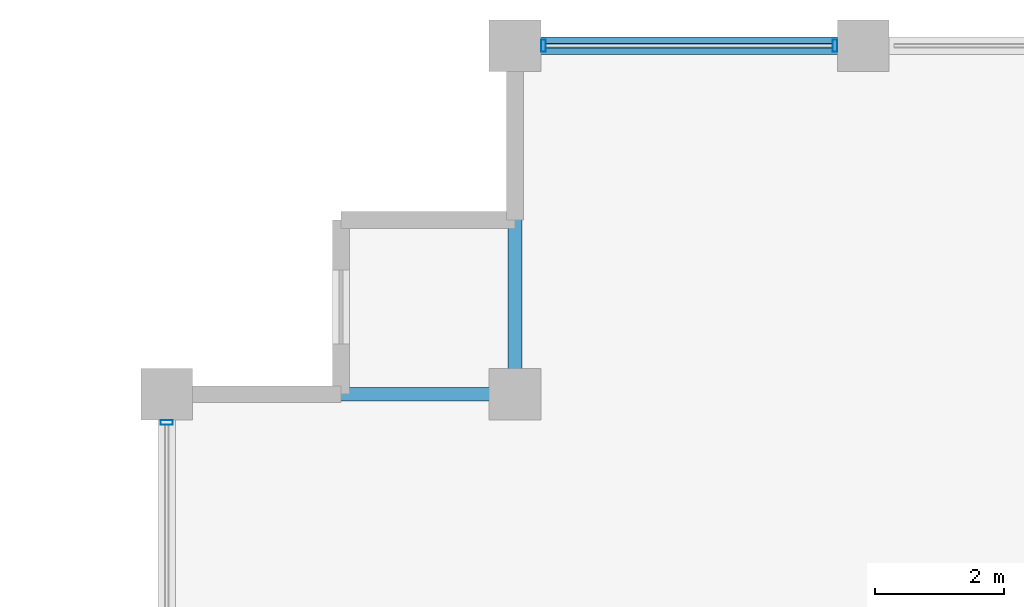
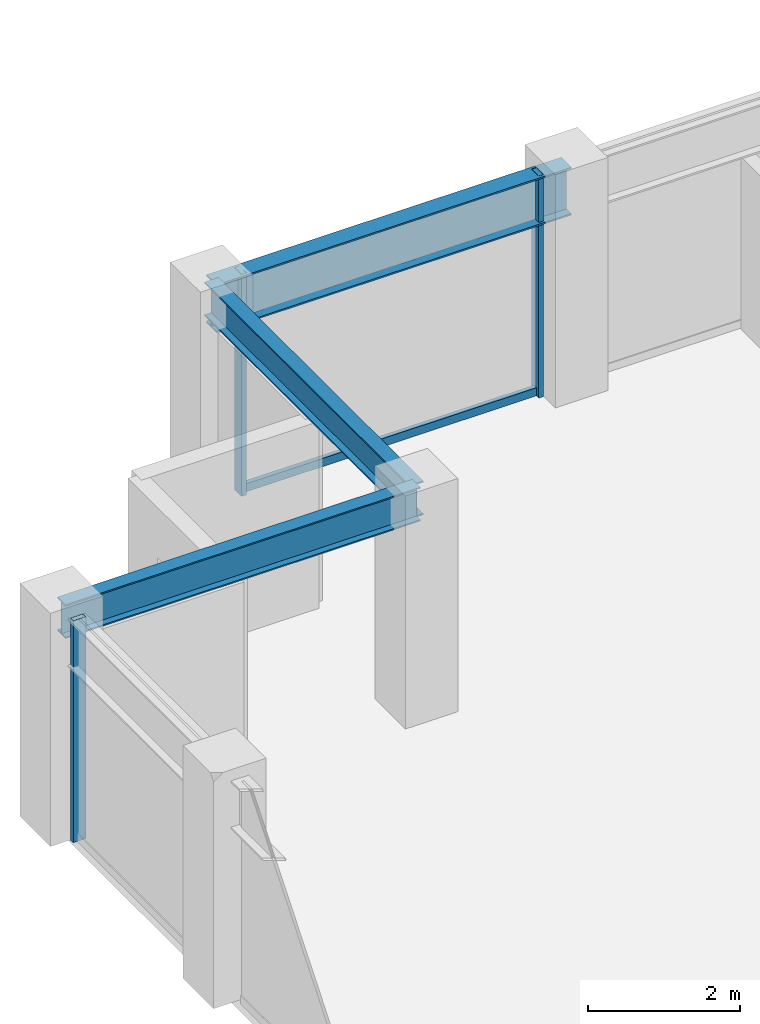
# One storey, part 15 of 28: 4 members, 3 beams, 2 elements without a shape of their own.
"""IFC4 building model written with IfcOpenShell, lengths in metres."""

from ifc_helpers import new_model, si_unit, direction, frame, origin, origin_2d, place, context, subcontext, project, spatial, hollow_rectangle, i_section, extrude, material, layer, layer_set, material_profile, profile_set, type_object, element, aggregate, save


model = new_model("IFC4")

# Units and contexts
model_context = context("Model", 3, precision=1e-05, world=origin(), true_north=direction((0.0, 1.0)))
body_context = subcontext(model_context, "Body", "Model", "MODEL_VIEW")
ifc_project = project(units=[si_unit("LENGTHUNIT", "METRE"), si_unit("AREAUNIT", "SQUARE_METRE"), si_unit("VOLUMEUNIT", "CUBIC_METRE"), si_unit("PLANEANGLEUNIT", "RADIAN"), si_unit("MASSUNIT", "GRAM", prefix="KILO")], contexts=[model_context])

# Site, building, storey
site_placement = place(None, origin())
site = spatial("IfcSite", under=ifc_project, at=site_placement, CompositionType="ELEMENT")
building_placement = place(site_placement, origin())
building = spatial("IfcBuilding", under=site, at=building_placement, Name="Surkhivell Harbour Commons", CompositionType="ELEMENT")
storey_placement = place(building_placement, frame((0.0, 0.0, 242.25)))
storey = spatial("IfcBuildingStorey", under=building, at=storey_placement, Name="L63", CompositionType="ELEMENT", Elevation=242.25)

# Beams
ifc_material_1 = material(Name="Steel S355", Category="steel")
ifc_material_profile_1 = material_profile(ifc_material_1, i_section(OverallWidth=0.2119140625, OverallDepth=0.5439453125, WebThickness=0.0126953125, FlangeThickness=0.021240234375, at=origin_2d()), Name="UB533x210x122")
ifc_profile_set_1 = profile_set([ifc_material_profile_1], Name="Steel S355")
beam_type_1 = type_object("IfcBeamType", Name="BM-GRD-533A", PredefinedType="BEAM", material=ifc_profile_set_1)
for number, where, z_axis, x_axis, name in (
    (1, (-27.0, 20.5, 3.298095703125), (1.0, 0.0, 0.0), (0.0, 1.0, 0.0), "L63 Floor Girder (-27.0,20.5)"),
    (2, (-21.60009765625, 20.5, 3.298095703125), (0.0, 1.0, 0.0), (-1.0, 0.0, 0.0), "L63 Floor Girder (-21.6,20.5)"),
):
    element("IfcBeam", number, at=place(storey_placement, frame(where, z_axis=z_axis, x_axis=x_axis)), inside=storey, type_object=beam_type_1, Name=name, PredefinedType="BEAM", context=body_context, shape_type="SweptSolid", body=[
        extrude(i_section(OverallWidth=0.2119140625, OverallDepth=0.5439453125, WebThickness=0.0126953125, FlangeThickness=0.021240234375, at=origin_2d()), origin(), (0.0, 0.0, 1.0), 5.39990234375),
    ])
ifc_material_profile_2 = material_profile(ifc_material_1, i_section(OverallWidth=0.26806640625, OverallDepth=0.77001953125, WebThickness=0.015625, FlangeThickness=0.025390625, at=origin_2d()), Name="UB762x267x197")
ifc_profile_set_2 = profile_set([ifc_material_profile_2], Name="Steel S355")
beam_type_2 = type_object("IfcBeamType", Name="BM-SPN-762", PredefinedType="SPANDREL", material=ifc_profile_set_2)
beam_placement = place(storey_placement, frame((-21.60009765625, 25.89990234375, 3.18505859375), z_axis=(1.0, 0.0, 0.0), x_axis=(0.0, 1.0, 0.0)))
element("IfcBeam", 3, at=beam_placement, inside=storey, type_object=beam_type_2, Name="L63 Tube Spandrel (-21.6,25.9)", PredefinedType="SPANDREL", context=body_context, shape_type="SweptSolid", body=[
    extrude(i_section(OverallWidth=0.26806640625, OverallDepth=0.77001953125, WebThickness=0.015625, FlangeThickness=0.025390625, at=origin_2d()), origin(), (0.0, 0.0, 1.0), 5.400146484375),
])

# Curtain wall, members
ifc_material_2 = material(Name="Anodised pale-metal aluminium and insulated glazing", Category="aluminium")
ifc_layer = layer(ifc_material_2, 0.18994140625)
ifc_layer_set = layer_set([ifc_layer], Name="Anodised pale-metal aluminium and insulated glazing")
curtain_wall_type = type_object("IfcCurtainWallType", Name="CW-SYS-Z3", PredefinedType="NOTDEFINED", material=ifc_layer_set)
curtain_wall_1_placement = place(storey_placement, origin())
curtain_wall_1 = element("IfcCurtainWall", 4, at=curtain_wall_1_placement, inside=storey, type_object=curtain_wall_type, Name="L63 Curtain Wall CW-L63-E07S2", PredefinedType="NOTDEFINED")
ifc_material_3 = material(Name="Anodised pale-metal aluminium alloy 6063-T6", Category="aluminium")
ifc_material_profile_3 = material_profile(ifc_material_3, hollow_rectangle(XDim=0.074951171875, YDim=0.18994140625, WallThickness=0.00390625, at=origin_2d()), Name="ALU-MULL-75x190")
ifc_profile_set_3 = profile_set([ifc_material_profile_3], Name="Anodised pale-metal aluminium alloy 6063-T6")
member_type_1 = type_object("IfcMemberType", Name="CWM-190", PredefinedType="MULLION", material=ifc_profile_set_3)
member_1_placement = place(storey_placement, frame((-16.639404296875, 25.89990234375, 0.0), z_axis=(0.0, 0.0, 1.0), x_axis=(-1.0, 0.0, 0.0)))
member_1 = element("IfcMember", 5, at=member_1_placement, type_object=member_type_1, Name="CW-Z3 mullion 3", PredefinedType="MULLION", context=body_context, shape_type="SweptSolid", body=[
    extrude(hollow_rectangle(XDim=0.074951171875, YDim=0.18994140625, WallThickness=0.00390625, at=origin_2d()), origin(), (0.0, 0.0, 1.0), 3.570068359375),
])
member_2_placement = place(storey_placement, frame((-21.160400390625, 25.89990234375, 0.0), z_axis=(0.0, 0.0, 1.0), x_axis=(-1.0, 0.0, 0.0)))
member_2 = element("IfcMember", 6, at=member_2_placement, type_object=member_type_1, Name="CW-Z3 mullion 4", PredefinedType="MULLION", context=body_context, shape_type="SweptSolid", body=[
    extrude(hollow_rectangle(XDim=0.074951171875, YDim=0.18994140625, WallThickness=0.00390625, at=origin_2d()), origin(), (0.0, 0.0, 1.0), 3.570068359375),
])

# Curtain wall, member
curtain_wall_2_placement = place(storey_placement, origin())
curtain_wall_2 = element("IfcCurtainWall", 7, at=curtain_wall_2_placement, inside=storey, type_object=curtain_wall_type, Name="L63 Curtain Wall CW-L63-E12R2", PredefinedType="NOTDEFINED")
member_3_placement = place(storey_placement, frame((-27.0, 20.060546875, 0.0), z_axis=(0.0, 0.0, 1.0), x_axis=(0.0, 1.0, 0.0)))
member_3 = element("IfcMember", 8, at=member_3_placement, type_object=member_type_1, Name="CW-Z3 mullion 4", PredefinedType="MULLION", context=body_context, shape_type="SweptSolid", body=[
    extrude(hollow_rectangle(XDim=0.074951171875, YDim=0.18994140625, WallThickness=0.00390625, at=origin_2d()), origin(), (0.0, 0.0, 1.0), 3.570068359375),
])
aggregate(curtain_wall_2, [member_3])

# Member
ifc_material_4 = material(Name="Champagne anodised aluminium alloy 6063-T6", Category="aluminium")
ifc_material_profile_4 = material_profile(ifc_material_4, hollow_rectangle(XDim=0.070068359375, YDim=0.1298828125, WallThickness=0.00341796875, at=origin_2d()), Name="ALU-TRAN-70x130")
ifc_profile_set_4 = profile_set([ifc_material_profile_4], Name="Champagne anodised aluminium alloy 6063-T6")
member_type_2 = type_object("IfcMemberType", Name="CWT-130", PredefinedType="USERDEFINED", material=ifc_profile_set_4)
member_4_placement = place(storey_placement, frame((-16.677001953125, 25.89990234375, 0.06494140625), z_axis=(-1.0, 0.0, 0.0), x_axis=(0.0, -1.0, 0.0)))
member_4 = element("IfcMember", 9, at=member_4_placement, type_object=member_type_2, Name="CW-Z3 transom 3.1", ObjectType="TRANSOM", PredefinedType="USERDEFINED", context=body_context, shape_type="SweptSolid", body=[
    extrude(hollow_rectangle(XDim=0.070068359375, YDim=0.1298828125, WallThickness=0.00341796875, at=origin_2d()), origin(), (0.0, 0.0, 1.0), 4.446044921875),
])

aggregate(curtain_wall_1, [member_1, member_2, member_4])

save(model, "model.ifc")
